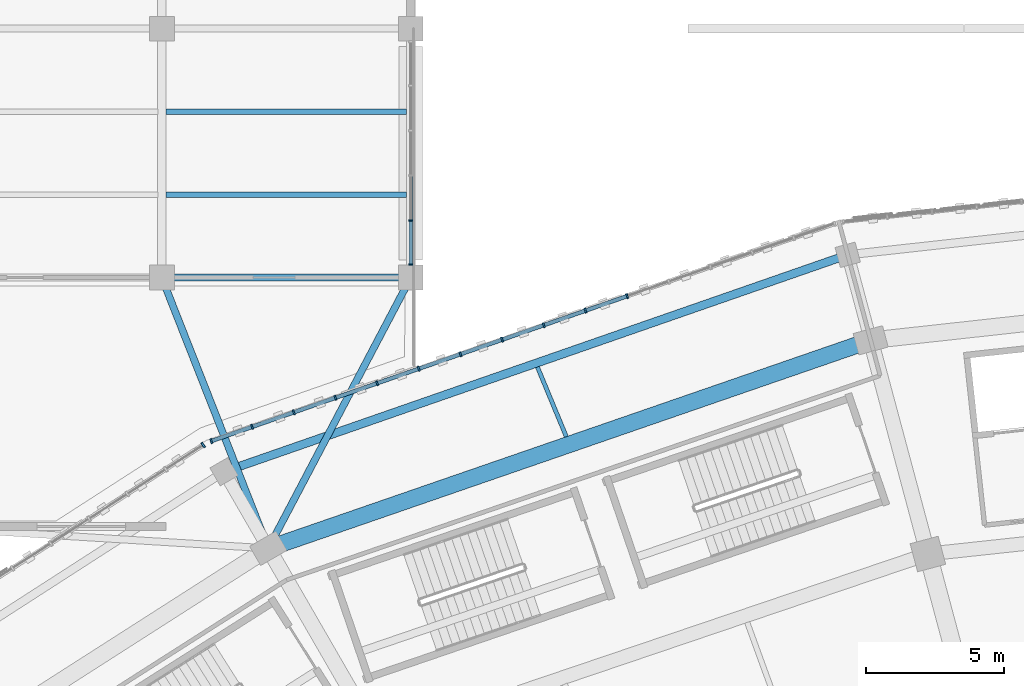
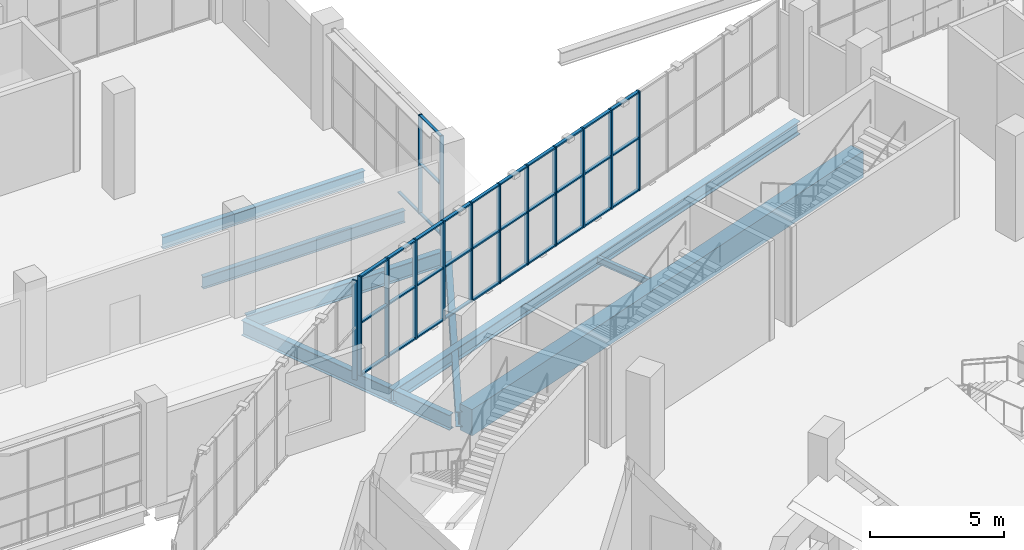
# One storey, part 55 of 183: 48 members, 8 beams, 3 elements without a shape of their own.
"""IFC4 building model written with IfcOpenShell, lengths in metres."""

from ifc_helpers import new_model, si_unit, direction, frame, origin, origin_2d, place, context, subcontext, project, spatial, rectangle, i_section, extrude, material, material_profile, profile_set, type_object, element, aggregate, save


model = new_model("IFC4")

# Units and contexts
model_context = context("Model", 3, precision=1e-05, world=origin(), true_north=direction((0.0, 1.0)))
body_context = subcontext(model_context, "Body", "Model", "MODEL_VIEW")
ifc_project = project(units=[si_unit("LENGTHUNIT", "METRE"), si_unit("AREAUNIT", "SQUARE_METRE"), si_unit("VOLUMEUNIT", "CUBIC_METRE"), si_unit("PLANEANGLEUNIT", "RADIAN"), si_unit("MASSUNIT", "GRAM", prefix="KILO")], contexts=[model_context])

# Site, building, storey
site_placement = place(None, origin())
site = spatial("IfcSite", under=ifc_project, at=site_placement, CompositionType="ELEMENT")
building_placement = place(site_placement, origin())
building = spatial("IfcBuilding", under=site, at=building_placement, Name="Zevraka Park Crest Stadium", CompositionType="ELEMENT")
storey_placement = place(building_placement, frame((0.0, 0.0, 5.39990234375)))
storey = spatial("IfcBuildingStorey", under=building, at=storey_placement, Name="L01", CompositionType="ELEMENT", Elevation=5.39990234375)

# Beams
ifc_material_1 = material(Name="Steel S355", Category="steel")
ifc_material_profile_1 = material_profile(ifc_material_1, i_section(OverallWidth=0.253662109375, OverallDepth=0.68359375, WebThickness=0.012451171875, FlangeThickness=0.01904296875, at=origin_2d()), Name="UKB 686x254x140")
ifc_profile_set_1 = profile_set([ifc_material_profile_1], Name="Steel S355")
beam_type_1 = type_object("IfcBeamType", Name="BG05", PredefinedType="BEAM", material=ifc_profile_set_1)
beam_1_placement = place(storey_placement, frame((63.300048828125, 167.0, -0.649658203125), z_axis=(1.0, 0.0, 0.0), x_axis=(0.0, 1.0, 0.0)))
element("IfcBeam", 1, at=beam_1_placement, inside=storey, type_object=beam_type_1, Name="Wing Girder BG05 L01-89/U", PredefinedType="BEAM", context=body_context, shape_type="SweptSolid", body=[
    extrude(i_section(OverallWidth=0.253662109375, OverallDepth=0.68359375, WebThickness=0.012451171875, FlangeThickness=0.01904296875, at=origin_2d()), origin(), (0.0, 0.0, 1.0), 8.39990234375),
])
beam_2_placement = place(storey_placement, frame((63.072998046875, 166.81396484375, -0.649658203125), z_axis=(0.366068857267, -0.930587766812, 0.0), x_axis=(0.930587766812, 0.366068857267, 0.0)))
element("IfcBeam", 2, at=beam_2_placement, inside=storey, type_object=beam_type_1, Name="Wing Link Girder BG05 L01-8/U", PredefinedType="BEAM", context=body_context, shape_type="SweptSolid", body=[
    extrude(i_section(OverallWidth=0.253662109375, OverallDepth=0.68359375, WebThickness=0.012451171875, FlangeThickness=0.01904296875, at=origin_2d()), origin(), (0.0, 0.0, 1.0), 9.937744140625),
])
beam_3_placement = place(storey_placement, frame((71.906982421875, 166.822998046875, -0.649658203125), z_axis=(-0.465623535035, -0.884982894536, 0.0), x_axis=(0.884982894536, -0.465623535035, 0.0)))
element("IfcBeam", 3, at=beam_3_placement, inside=storey, type_object=beam_type_1, Name="Wing Link Girder BG05 L01-9/U", PredefinedType="BEAM", context=body_context, shape_type="SweptSolid", body=[
    extrude(i_section(OverallWidth=0.253662109375, OverallDepth=0.68359375, WebThickness=0.012451171875, FlangeThickness=0.01904296875, at=origin_2d()), origin(), (0.0, 0.0, 1.0), 10.480224609375),
])

# Curtain wall, members
ifc_material_2 = material(Name="Anodised architectural aluminium and laminated safety glass", Category="aluminium")
curtain_wall_type_1 = type_object("IfcCurtainWallType", Name="CW28", PredefinedType="NOTDEFINED", material=ifc_material_2)
curtain_wall_1_placement = place(storey_placement, origin())
curtain_wall_1 = element("IfcCurtainWall", 4, at=curtain_wall_1_placement, inside=storey, type_object=curtain_wall_type_1, Name="Wing Curtain Wall CW28 L01-NW-E1-2", PredefinedType="NOTDEFINED")
ifc_material_3 = material(Name="Anodised architectural aluminium", Category="aluminium")
ifc_material_profile_2 = material_profile(ifc_material_3, rectangle(XDim=0.159912109375, YDim=0.06005859375, at=origin_2d()), Name="ALU MULLION 160x60")
ifc_profile_set_2 = profile_set([ifc_material_profile_2], Name="Anodised architectural aluminium")
member_type_1 = type_object("IfcMemberType", Name="CM01", PredefinedType="MULLION", material=ifc_profile_set_2)
member_1_placement = place(storey_placement, frame((72.0, 169.06396484375, 0.0), z_axis=(0.0, 0.0, 1.0), x_axis=(1.0, 0.0, 0.0)))
member_1 = element("IfcMember", 5, at=member_1_placement, type_object=member_type_1, Name="CW28 mullion 5", PredefinedType="MULLION", context=body_context, shape_type="SweptSolid", body=[
    extrude(rectangle(XDim=0.159912109375, YDim=0.06005859375, at=origin_2d()), origin(), (0.0, 0.0, 1.0), 4.52001953125),
])
member_2_placement = place(storey_placement, frame((72.0, 167.469970703125, 0.0), z_axis=(0.0, 0.0, 1.0), x_axis=(1.0, 0.0, 0.0)))
member_2 = element("IfcMember", 6, at=member_2_placement, type_object=member_type_1, Name="CW28 mullion 6", PredefinedType="MULLION", context=body_context, shape_type="SweptSolid", body=[
    extrude(rectangle(XDim=0.159912109375, YDim=0.06005859375, at=origin_2d()), origin(), (0.0, 0.0, 1.0), 4.52001953125),
])

ifc_material_4 = material(Name="Anodised architectural aluminium and laminated safety glass", Category="aluminium")
curtain_wall_type_2 = type_object("IfcCurtainWallType", Name="CW02", PredefinedType="NOTDEFINED", material=ifc_material_4)
curtain_wall_2_placement = place(storey_placement, origin())
curtain_wall_2 = element("IfcCurtainWall", 7, at=curtain_wall_2_placement, inside=storey, type_object=curtain_wall_type_2, Name="Unitised Ring Curtain Wall CW02 L01-07", PredefinedType="NOTDEFINED")
ifc_material_5 = material(Name="Anodised architectural aluminium", Category="aluminium")
ifc_material_profile_3 = material_profile(ifc_material_5, rectangle(XDim=0.179931640625, YDim=0.06494140625, at=origin_2d()), Name="ALU MULLION 180x65")
ifc_profile_set_3 = profile_set([ifc_material_profile_3], Name="Anodised architectural aluminium")
member_type_2 = type_object("IfcMemberType", Name="CM02", PredefinedType="MULLION", material=ifc_profile_set_3)
member_3_placement = place(storey_placement, frame((79.824951171875, 166.332763671875, 0.0), z_axis=(0.0, 0.0, 1.0), x_axis=(0.329209289879, -0.944256979565, 0.0)))
member_3 = element("IfcMember", 8, at=member_3_placement, type_object=member_type_2, Name="CW02 mullion 6", PredefinedType="MULLION", context=body_context, shape_type="SweptSolid", body=[
    extrude(rectangle(XDim=0.179931640625, YDim=0.06494140625, at=origin_2d()), origin(), (0.0, 0.0, 1.0), 4.52001953125),
])
member_4_placement = place(storey_placement, frame((78.318359375, 165.807373046875, 0.0), z_axis=(0.0, 0.0, 1.0), x_axis=(0.329209289879, -0.944256979565, 0.0)))
member_4 = element("IfcMember", 9, at=member_4_placement, type_object=member_type_2, Name="CW02 mullion 7", PredefinedType="MULLION", context=body_context, shape_type="SweptSolid", body=[
    extrude(rectangle(XDim=0.179931640625, YDim=0.06494140625, at=origin_2d()), origin(), (0.0, 0.0, 1.0), 4.52001953125),
])
member_5_placement = place(storey_placement, frame((76.811767578125, 165.2822265625, 0.0), z_axis=(0.0, 0.0, 1.0), x_axis=(0.329209289879, -0.944256979565, 0.0)))
member_5 = element("IfcMember", 10, at=member_5_placement, type_object=member_type_2, Name="CW02 mullion 8", PredefinedType="MULLION", context=body_context, shape_type="SweptSolid", body=[
    extrude(rectangle(XDim=0.179931640625, YDim=0.06494140625, at=origin_2d()), origin(), (0.0, 0.0, 1.0), 4.52001953125),
])
member_6_placement = place(storey_placement, frame((75.30517578125, 164.7568359375, 0.0), z_axis=(0.0, 0.0, 1.0), x_axis=(0.329209289879, -0.944256979565, 0.0)))
member_6 = element("IfcMember", 11, at=member_6_placement, type_object=member_type_2, Name="CW02 mullion 9", PredefinedType="MULLION", context=body_context, shape_type="SweptSolid", body=[
    extrude(rectangle(XDim=0.179931640625, YDim=0.06494140625, at=origin_2d()), origin(), (0.0, 0.0, 1.0), 4.52001953125),
])
member_7_placement = place(storey_placement, frame((73.798583984375, 164.231689453125, 0.0), z_axis=(0.0, 0.0, 1.0), x_axis=(0.329209289879, -0.944256979565, 0.0)))
member_7 = element("IfcMember", 12, at=member_7_placement, type_object=member_type_2, Name="CW02 mullion 10", PredefinedType="MULLION", context=body_context, shape_type="SweptSolid", body=[
    extrude(rectangle(XDim=0.179931640625, YDim=0.06494140625, at=origin_2d()), origin(), (0.0, 0.0, 1.0), 4.52001953125),
])
member_8_placement = place(storey_placement, frame((72.2919921875, 163.706298828125, 0.0), z_axis=(0.0, 0.0, 1.0), x_axis=(0.329209289879, -0.944256979565, 0.0)))
member_8 = element("IfcMember", 13, at=member_8_placement, type_object=member_type_2, Name="CW02 mullion 11", PredefinedType="MULLION", context=body_context, shape_type="SweptSolid", body=[
    extrude(rectangle(XDim=0.179931640625, YDim=0.06494140625, at=origin_2d()), origin(), (0.0, 0.0, 1.0), 4.52001953125),
])
member_9_placement = place(storey_placement, frame((70.785400390625, 163.18115234375, 0.0), z_axis=(0.0, 0.0, 1.0), x_axis=(0.329209289879, -0.944256979565, 0.0)))
member_9 = element("IfcMember", 14, at=member_9_placement, type_object=member_type_2, Name="CW02 mullion 12", PredefinedType="MULLION", context=body_context, shape_type="SweptSolid", body=[
    extrude(rectangle(XDim=0.179931640625, YDim=0.06494140625, at=origin_2d()), origin(), (0.0, 0.0, 1.0), 4.52001953125),
])
member_10_placement = place(storey_placement, frame((69.27880859375, 162.65576171875, 0.0), z_axis=(0.0, 0.0, 1.0), x_axis=(0.329209289879, -0.944256979565, 0.0)))
member_10 = element("IfcMember", 15, at=member_10_placement, type_object=member_type_2, Name="CW02 mullion 13", PredefinedType="MULLION", context=body_context, shape_type="SweptSolid", body=[
    extrude(rectangle(XDim=0.179931640625, YDim=0.06494140625, at=origin_2d()), origin(), (0.0, 0.0, 1.0), 4.52001953125),
])
member_11_placement = place(storey_placement, frame((67.772216796875, 162.130615234375, 0.0), z_axis=(0.0, 0.0, 1.0), x_axis=(0.329209289879, -0.944256979565, 0.0)))
member_11 = element("IfcMember", 16, at=member_11_placement, type_object=member_type_2, Name="CW02 mullion 14", PredefinedType="MULLION", context=body_context, shape_type="SweptSolid", body=[
    extrude(rectangle(XDim=0.179931640625, YDim=0.06494140625, at=origin_2d()), origin(), (0.0, 0.0, 1.0), 4.52001953125),
])
member_12_placement = place(storey_placement, frame((66.265625, 161.605224609375, 0.0), z_axis=(0.0, 0.0, 1.0), x_axis=(0.329209289879, -0.944256979565, 0.0)))
member_12 = element("IfcMember", 17, at=member_12_placement, type_object=member_type_2, Name="CW02 mullion 15", PredefinedType="MULLION", context=body_context, shape_type="SweptSolid", body=[
    extrude(rectangle(XDim=0.179931640625, YDim=0.06494140625, at=origin_2d()), origin(), (0.0, 0.0, 1.0), 4.52001953125),
])
member_13_placement = place(storey_placement, frame((64.789794921875, 161.0908203125, 0.0), z_axis=(0.0, 0.0, 1.0), x_axis=(0.329209289879, -0.944256979565, 0.0)))
member_13 = element("IfcMember", 18, at=member_13_placement, type_object=member_type_2, Name="CW02 mullion 16", PredefinedType="MULLION", context=body_context, shape_type="SweptSolid", body=[
    extrude(rectangle(XDim=0.179931640625, YDim=0.06494140625, at=origin_2d()), origin(), (0.0, 0.0, 1.0), 4.52001953125),
])

# Curtain wall, member
ifc_material_6 = material(Name="Anodised architectural aluminium and laminated safety glass", Category="aluminium")
curtain_wall_type_3 = type_object("IfcCurtainWallType", Name="CW03", PredefinedType="NOTDEFINED", material=ifc_material_6)
curtain_wall_3_placement = place(storey_placement, origin())
curtain_wall_3 = element("IfcCurtainWall", 19, at=curtain_wall_3_placement, inside=storey, type_object=curtain_wall_type_3, Name="Unitised Ring Curtain Wall CW03 L01-08", PredefinedType="NOTDEFINED")
ifc_material_7 = material(Name="Anodised architectural aluminium", Category="aluminium")
ifc_material_profile_4 = material_profile(ifc_material_7, rectangle(XDim=0.199951171875, YDim=0.070068359375, at=origin_2d()), Name="ALU MULLION 200x70")
ifc_profile_set_4 = profile_set([ifc_material_profile_4], Name="Anodised architectural aluminium")
member_type_3 = type_object("IfcMemberType", Name="CM03", PredefinedType="MULLION", material=ifc_profile_set_4)
member_14_placement = place(storey_placement, frame((64.49658203125, 160.947021484375, 0.0), z_axis=(0.0, 0.0, 1.0), x_axis=(0.542570628938, -0.840010186018, 0.0)))
member_14 = element("IfcMember", 20, at=member_14_placement, type_object=member_type_3, Name="CW03 mullion 1", PredefinedType="MULLION", context=body_context, shape_type="SweptSolid", body=[
    extrude(rectangle(XDim=0.199951171875, YDim=0.070068359375, at=origin_2d()), origin(), (0.0, 0.0, 1.0), 4.52001953125),
])
aggregate(curtain_wall_3, [member_14])

# Member
ifc_material_8 = material(Name="Anodised architectural aluminium", Category="aluminium")
ifc_material_profile_5 = material_profile(ifc_material_8, rectangle(XDim=0.1201171875, YDim=0.06005859375, at=origin_2d()), Name="ALU TRANSOM 120x60")
ifc_profile_set_5 = profile_set([ifc_material_profile_5], Name="Anodised architectural aluminium")
member_type_4 = type_object("IfcMemberType", Name="CT01", PredefinedType="USERDEFINED", material=ifc_profile_set_5)
member_15_placement = place(storey_placement, frame((72.0, 170.657958984375, 0.030029296875), z_axis=(0.0, -1.0, 0.0), x_axis=(1.0, 0.0, 0.0)))
member_15 = element("IfcMember", 21, at=member_15_placement, type_object=member_type_4, Name="CW28 transom 4.1", ObjectType="TRANSOM", PredefinedType="USERDEFINED", context=body_context, shape_type="SweptSolid", body=[
    extrude(rectangle(XDim=0.1201171875, YDim=0.06005859375, at=origin_2d()), origin(), (0.0, 0.0, 1.0), 1.56396484375),
])

member_16_placement = place(storey_placement, frame((72.0, 169.033935546875, 0.030029296875), z_axis=(0.0, -1.0, 0.0), x_axis=(1.0, 0.0, 0.0)))
member_16 = element("IfcMember", 22, at=member_16_placement, type_object=member_type_4, Name="CW28 transom 5.1", ObjectType="TRANSOM", PredefinedType="USERDEFINED", context=body_context, shape_type="SweptSolid", body=[
    extrude(rectangle(XDim=0.1201171875, YDim=0.06005859375, at=origin_2d()), origin(), (0.0, 0.0, 1.0), 1.533935546875),
])

member_17_placement = place(storey_placement, frame((72.0, 169.033935546875, 2.300048828125), z_axis=(0.0, -1.0, 0.0), x_axis=(1.0, 0.0, 0.0)))
member_17 = element("IfcMember", 23, at=member_17_placement, type_object=member_type_4, Name="CW28 transom 5.2", ObjectType="TRANSOM", PredefinedType="USERDEFINED", context=body_context, shape_type="SweptSolid", body=[
    extrude(rectangle(XDim=0.1201171875, YDim=0.06005859375, at=origin_2d()), origin(), (0.0, 0.0, 1.0), 1.533935546875),
])

member_18_placement = place(storey_placement, frame((72.0, 169.033935546875, 4.489990234375), z_axis=(0.0, -1.0, 0.0), x_axis=(1.0, 0.0, 0.0)))
member_18 = element("IfcMember", 24, at=member_18_placement, type_object=member_type_4, Name="CW28 transom 5.3", ObjectType="TRANSOM", PredefinedType="USERDEFINED", context=body_context, shape_type="SweptSolid", body=[
    extrude(rectangle(XDim=0.1201171875, YDim=0.06005859375, at=origin_2d()), origin(), (0.0, 0.0, 1.0), 1.533935546875),
])

aggregate(curtain_wall_1, [member_1, member_2, member_15, member_16, member_17, member_18])

ifc_material_9 = material(Name="Anodised architectural aluminium", Category="aluminium")
ifc_material_profile_6 = material_profile(ifc_material_9, rectangle(XDim=0.139892578125, YDim=0.06494140625, at=origin_2d()), Name="ALU TRANSOM 140x65")
ifc_profile_set_6 = profile_set([ifc_material_profile_6], Name="Anodised architectural aluminium")
member_type_5 = type_object("IfcMemberType", Name="CT02", PredefinedType="USERDEFINED", material=ifc_profile_set_6)
member_19_placement = place(storey_placement, frame((79.79443359375, 166.322021484375, 0.03271484375), z_axis=(-0.944255540278, -0.329213418097, 0.0), x_axis=(0.329213418097, -0.944255540278, 0.0)))
member_19 = element("IfcMember", 25, at=member_19_placement, type_object=member_type_5, Name="CW02 transom 6.1", ObjectType="TRANSOM", PredefinedType="USERDEFINED", context=body_context, shape_type="SweptSolid", body=[
    extrude(rectangle(XDim=0.139892578125, YDim=0.06494140625, at=origin_2d()), origin(), (0.0, 0.0, 1.0), 1.530517578125),
])

member_20_placement = place(storey_placement, frame((79.79443359375, 166.322021484375, 2.400146484375), z_axis=(-0.944255540278, -0.329213418097, 0.0), x_axis=(0.329213418097, -0.944255540278, 0.0)))
member_20 = element("IfcMember", 26, at=member_20_placement, type_object=member_type_5, Name="CW02 transom 6.2", ObjectType="TRANSOM", PredefinedType="USERDEFINED", context=body_context, shape_type="SweptSolid", body=[
    extrude(rectangle(XDim=0.139892578125, YDim=0.06494140625, at=origin_2d()), origin(), (0.0, 0.0, 1.0), 1.530517578125),
])

member_21_placement = place(storey_placement, frame((79.79443359375, 166.322021484375, 4.487548828125), z_axis=(-0.944255540278, -0.329213418097, 0.0), x_axis=(0.329213418097, -0.944255540278, 0.0)))
member_21 = element("IfcMember", 27, at=member_21_placement, type_object=member_type_5, Name="CW02 transom 6.3", ObjectType="TRANSOM", PredefinedType="USERDEFINED", context=body_context, shape_type="SweptSolid", body=[
    extrude(rectangle(XDim=0.139892578125, YDim=0.06494140625, at=origin_2d()), origin(), (0.0, 0.0, 1.0), 1.530517578125),
])

member_22_placement = place(storey_placement, frame((78.28759765625, 165.796630859375, 0.03271484375), z_axis=(-0.944238249242, -0.329263008352, 0.0), x_axis=(0.329263008352, -0.944238249242, 0.0)))
member_22 = element("IfcMember", 28, at=member_22_placement, type_object=member_type_5, Name="CW02 transom 7.1", ObjectType="TRANSOM", PredefinedType="USERDEFINED", context=body_context, shape_type="SweptSolid", body=[
    extrude(rectangle(XDim=0.139892578125, YDim=0.06494140625, at=origin_2d()), origin(), (0.0, 0.0, 1.0), 1.530517578125),
])

member_23_placement = place(storey_placement, frame((78.28759765625, 165.796630859375, 2.400146484375), z_axis=(-0.944238249242, -0.329263008352, 0.0), x_axis=(0.329263008352, -0.944238249242, 0.0)))
member_23 = element("IfcMember", 29, at=member_23_placement, type_object=member_type_5, Name="CW02 transom 7.2", ObjectType="TRANSOM", PredefinedType="USERDEFINED", context=body_context, shape_type="SweptSolid", body=[
    extrude(rectangle(XDim=0.139892578125, YDim=0.06494140625, at=origin_2d()), origin(), (0.0, 0.0, 1.0), 1.530517578125),
])

member_24_placement = place(storey_placement, frame((78.28759765625, 165.796630859375, 4.487548828125), z_axis=(-0.944238249242, -0.329263008352, 0.0), x_axis=(0.329263008352, -0.944238249242, 0.0)))
member_24 = element("IfcMember", 30, at=member_24_placement, type_object=member_type_5, Name="CW02 transom 7.3", ObjectType="TRANSOM", PredefinedType="USERDEFINED", context=body_context, shape_type="SweptSolid", body=[
    extrude(rectangle(XDim=0.139892578125, YDim=0.06494140625, at=origin_2d()), origin(), (0.0, 0.0, 1.0), 1.530517578125),
])

member_25_placement = place(storey_placement, frame((76.781005859375, 165.271484375, 0.03271484375), z_axis=(-0.944238249242, -0.329263008352, 0.0), x_axis=(0.329263008352, -0.944238249242, 0.0)))
member_25 = element("IfcMember", 31, at=member_25_placement, type_object=member_type_5, Name="CW02 transom 8.1", ObjectType="TRANSOM", PredefinedType="USERDEFINED", context=body_context, shape_type="SweptSolid", body=[
    extrude(rectangle(XDim=0.139892578125, YDim=0.06494140625, at=origin_2d()), origin(), (0.0, 0.0, 1.0), 1.530517578125),
])

member_26_placement = place(storey_placement, frame((76.781005859375, 165.271484375, 2.400146484375), z_axis=(-0.944238249242, -0.329263008352, 0.0), x_axis=(0.329263008352, -0.944238249242, 0.0)))
member_26 = element("IfcMember", 32, at=member_26_placement, type_object=member_type_5, Name="CW02 transom 8.2", ObjectType="TRANSOM", PredefinedType="USERDEFINED", context=body_context, shape_type="SweptSolid", body=[
    extrude(rectangle(XDim=0.139892578125, YDim=0.06494140625, at=origin_2d()), origin(), (0.0, 0.0, 1.0), 1.530517578125),
])

member_27_placement = place(storey_placement, frame((76.781005859375, 165.271484375, 4.487548828125), z_axis=(-0.944238249242, -0.329263008352, 0.0), x_axis=(0.329263008352, -0.944238249242, 0.0)))
member_27 = element("IfcMember", 33, at=member_27_placement, type_object=member_type_5, Name="CW02 transom 8.3", ObjectType="TRANSOM", PredefinedType="USERDEFINED", context=body_context, shape_type="SweptSolid", body=[
    extrude(rectangle(XDim=0.139892578125, YDim=0.06494140625, at=origin_2d()), origin(), (0.0, 0.0, 1.0), 1.530517578125),
])

member_28_placement = place(storey_placement, frame((75.2744140625, 164.74609375, 0.03271484375), z_axis=(-0.944238249242, -0.329263008352, 0.0), x_axis=(0.329263008352, -0.944238249242, 0.0)))
member_28 = element("IfcMember", 34, at=member_28_placement, type_object=member_type_5, Name="CW02 transom 9.1", ObjectType="TRANSOM", PredefinedType="USERDEFINED", context=body_context, shape_type="SweptSolid", body=[
    extrude(rectangle(XDim=0.139892578125, YDim=0.06494140625, at=origin_2d()), origin(), (0.0, 0.0, 1.0), 1.530517578125),
])

member_29_placement = place(storey_placement, frame((75.2744140625, 164.74609375, 2.400146484375), z_axis=(-0.944238249242, -0.329263008352, 0.0), x_axis=(0.329263008352, -0.944238249242, 0.0)))
member_29 = element("IfcMember", 35, at=member_29_placement, type_object=member_type_5, Name="CW02 transom 9.2", ObjectType="TRANSOM", PredefinedType="USERDEFINED", context=body_context, shape_type="SweptSolid", body=[
    extrude(rectangle(XDim=0.139892578125, YDim=0.06494140625, at=origin_2d()), origin(), (0.0, 0.0, 1.0), 1.530517578125),
])

member_30_placement = place(storey_placement, frame((75.2744140625, 164.74609375, 4.487548828125), z_axis=(-0.944238249242, -0.329263008352, 0.0), x_axis=(0.329263008352, -0.944238249242, 0.0)))
member_30 = element("IfcMember", 36, at=member_30_placement, type_object=member_type_5, Name="CW02 transom 9.3", ObjectType="TRANSOM", PredefinedType="USERDEFINED", context=body_context, shape_type="SweptSolid", body=[
    extrude(rectangle(XDim=0.139892578125, YDim=0.06494140625, at=origin_2d()), origin(), (0.0, 0.0, 1.0), 1.530517578125),
])

member_31_placement = place(storey_placement, frame((73.767822265625, 164.220947265625, 0.03271484375), z_axis=(-0.944238249242, -0.329263008352, 0.0), x_axis=(0.329263008352, -0.944238249242, 0.0)))
member_31 = element("IfcMember", 37, at=member_31_placement, type_object=member_type_5, Name="CW02 transom 10.1", ObjectType="TRANSOM", PredefinedType="USERDEFINED", context=body_context, shape_type="SweptSolid", body=[
    extrude(rectangle(XDim=0.139892578125, YDim=0.06494140625, at=origin_2d()), origin(), (0.0, 0.0, 1.0), 1.530517578125),
])

member_32_placement = place(storey_placement, frame((73.767822265625, 164.220947265625, 2.400146484375), z_axis=(-0.944238249242, -0.329263008352, 0.0), x_axis=(0.329263008352, -0.944238249242, 0.0)))
member_32 = element("IfcMember", 38, at=member_32_placement, type_object=member_type_5, Name="CW02 transom 10.2", ObjectType="TRANSOM", PredefinedType="USERDEFINED", context=body_context, shape_type="SweptSolid", body=[
    extrude(rectangle(XDim=0.139892578125, YDim=0.06494140625, at=origin_2d()), origin(), (0.0, 0.0, 1.0), 1.530517578125),
])

member_33_placement = place(storey_placement, frame((73.767822265625, 164.220947265625, 4.487548828125), z_axis=(-0.944238249242, -0.329263008352, 0.0), x_axis=(0.329263008352, -0.944238249242, 0.0)))
member_33 = element("IfcMember", 39, at=member_33_placement, type_object=member_type_5, Name="CW02 transom 10.3", ObjectType="TRANSOM", PredefinedType="USERDEFINED", context=body_context, shape_type="SweptSolid", body=[
    extrude(rectangle(XDim=0.139892578125, YDim=0.06494140625, at=origin_2d()), origin(), (0.0, 0.0, 1.0), 1.530517578125),
])

member_34_placement = place(storey_placement, frame((72.26123046875, 163.695556640625, 0.03271484375), z_axis=(-0.944238249242, -0.329263008352, 0.0), x_axis=(0.329263008352, -0.944238249242, 0.0)))
member_34 = element("IfcMember", 40, at=member_34_placement, type_object=member_type_5, Name="CW02 transom 11.1", ObjectType="TRANSOM", PredefinedType="USERDEFINED", context=body_context, shape_type="SweptSolid", body=[
    extrude(rectangle(XDim=0.139892578125, YDim=0.06494140625, at=origin_2d()), origin(), (0.0, 0.0, 1.0), 1.530517578125),
])

member_35_placement = place(storey_placement, frame((72.26123046875, 163.695556640625, 2.400146484375), z_axis=(-0.944238249242, -0.329263008352, 0.0), x_axis=(0.329263008352, -0.944238249242, 0.0)))
member_35 = element("IfcMember", 41, at=member_35_placement, type_object=member_type_5, Name="CW02 transom 11.2", ObjectType="TRANSOM", PredefinedType="USERDEFINED", context=body_context, shape_type="SweptSolid", body=[
    extrude(rectangle(XDim=0.139892578125, YDim=0.06494140625, at=origin_2d()), origin(), (0.0, 0.0, 1.0), 1.530517578125),
])

member_36_placement = place(storey_placement, frame((72.26123046875, 163.695556640625, 4.487548828125), z_axis=(-0.944238249242, -0.329263008352, 0.0), x_axis=(0.329263008352, -0.944238249242, 0.0)))
member_36 = element("IfcMember", 42, at=member_36_placement, type_object=member_type_5, Name="CW02 transom 11.3", ObjectType="TRANSOM", PredefinedType="USERDEFINED", context=body_context, shape_type="SweptSolid", body=[
    extrude(rectangle(XDim=0.139892578125, YDim=0.06494140625, at=origin_2d()), origin(), (0.0, 0.0, 1.0), 1.530517578125),
])

member_37_placement = place(storey_placement, frame((70.754638671875, 163.17041015625, 0.03271484375), z_axis=(-0.944238249242, -0.329263008352, 0.0), x_axis=(0.329263008352, -0.944238249242, 0.0)))
member_37 = element("IfcMember", 43, at=member_37_placement, type_object=member_type_5, Name="CW02 transom 12.1", ObjectType="TRANSOM", PredefinedType="USERDEFINED", context=body_context, shape_type="SweptSolid", body=[
    extrude(rectangle(XDim=0.139892578125, YDim=0.06494140625, at=origin_2d()), origin(), (0.0, 0.0, 1.0), 1.530517578125),
])

member_38_placement = place(storey_placement, frame((70.754638671875, 163.17041015625, 2.400146484375), z_axis=(-0.944238249242, -0.329263008352, 0.0), x_axis=(0.329263008352, -0.944238249242, 0.0)))
member_38 = element("IfcMember", 44, at=member_38_placement, type_object=member_type_5, Name="CW02 transom 12.2", ObjectType="TRANSOM", PredefinedType="USERDEFINED", context=body_context, shape_type="SweptSolid", body=[
    extrude(rectangle(XDim=0.139892578125, YDim=0.06494140625, at=origin_2d()), origin(), (0.0, 0.0, 1.0), 1.530517578125),
])

member_39_placement = place(storey_placement, frame((70.754638671875, 163.17041015625, 4.487548828125), z_axis=(-0.944238249242, -0.329263008352, 0.0), x_axis=(0.329263008352, -0.944238249242, 0.0)))
member_39 = element("IfcMember", 45, at=member_39_placement, type_object=member_type_5, Name="CW02 transom 12.3", ObjectType="TRANSOM", PredefinedType="USERDEFINED", context=body_context, shape_type="SweptSolid", body=[
    extrude(rectangle(XDim=0.139892578125, YDim=0.06494140625, at=origin_2d()), origin(), (0.0, 0.0, 1.0), 1.530517578125),
])

member_40_placement = place(storey_placement, frame((69.248046875, 162.64501953125, 0.03271484375), z_axis=(-0.944238249242, -0.329263008352, 0.0), x_axis=(0.329263008352, -0.944238249242, 0.0)))
member_40 = element("IfcMember", 46, at=member_40_placement, type_object=member_type_5, Name="CW02 transom 13.1", ObjectType="TRANSOM", PredefinedType="USERDEFINED", context=body_context, shape_type="SweptSolid", body=[
    extrude(rectangle(XDim=0.139892578125, YDim=0.06494140625, at=origin_2d()), origin(), (0.0, 0.0, 1.0), 1.530517578125),
])

member_41_placement = place(storey_placement, frame((69.248046875, 162.64501953125, 2.400146484375), z_axis=(-0.944238249242, -0.329263008352, 0.0), x_axis=(0.329263008352, -0.944238249242, 0.0)))
member_41 = element("IfcMember", 47, at=member_41_placement, type_object=member_type_5, Name="CW02 transom 13.2", ObjectType="TRANSOM", PredefinedType="USERDEFINED", context=body_context, shape_type="SweptSolid", body=[
    extrude(rectangle(XDim=0.139892578125, YDim=0.06494140625, at=origin_2d()), origin(), (0.0, 0.0, 1.0), 1.530517578125),
])

member_42_placement = place(storey_placement, frame((69.248046875, 162.64501953125, 4.487548828125), z_axis=(-0.944238249242, -0.329263008352, 0.0), x_axis=(0.329263008352, -0.944238249242, 0.0)))
member_42 = element("IfcMember", 48, at=member_42_placement, type_object=member_type_5, Name="CW02 transom 13.3", ObjectType="TRANSOM", PredefinedType="USERDEFINED", context=body_context, shape_type="SweptSolid", body=[
    extrude(rectangle(XDim=0.139892578125, YDim=0.06494140625, at=origin_2d()), origin(), (0.0, 0.0, 1.0), 1.530517578125),
])

member_43_placement = place(storey_placement, frame((67.741455078125, 162.119873046875, 0.03271484375), z_axis=(-0.944238249242, -0.329263008352, 0.0), x_axis=(0.329263008352, -0.944238249242, 0.0)))
member_43 = element("IfcMember", 49, at=member_43_placement, type_object=member_type_5, Name="CW02 transom 14.1", ObjectType="TRANSOM", PredefinedType="USERDEFINED", context=body_context, shape_type="SweptSolid", body=[
    extrude(rectangle(XDim=0.139892578125, YDim=0.06494140625, at=origin_2d()), origin(), (0.0, 0.0, 1.0), 1.530517578125),
])

member_44_placement = place(storey_placement, frame((67.741455078125, 162.119873046875, 2.400146484375), z_axis=(-0.944238249242, -0.329263008352, 0.0), x_axis=(0.329263008352, -0.944238249242, 0.0)))
member_44 = element("IfcMember", 50, at=member_44_placement, type_object=member_type_5, Name="CW02 transom 14.2", ObjectType="TRANSOM", PredefinedType="USERDEFINED", context=body_context, shape_type="SweptSolid", body=[
    extrude(rectangle(XDim=0.139892578125, YDim=0.06494140625, at=origin_2d()), origin(), (0.0, 0.0, 1.0), 1.530517578125),
])

member_45_placement = place(storey_placement, frame((67.741455078125, 162.119873046875, 4.487548828125), z_axis=(-0.944238249242, -0.329263008352, 0.0), x_axis=(0.329263008352, -0.944238249242, 0.0)))
member_45 = element("IfcMember", 51, at=member_45_placement, type_object=member_type_5, Name="CW02 transom 14.3", ObjectType="TRANSOM", PredefinedType="USERDEFINED", context=body_context, shape_type="SweptSolid", body=[
    extrude(rectangle(XDim=0.139892578125, YDim=0.06494140625, at=origin_2d()), origin(), (0.0, 0.0, 1.0), 1.530517578125),
])

member_46_placement = place(storey_placement, frame((66.23486328125, 161.594482421875, 0.03271484375), z_axis=(-0.944259100234, -0.329203207192, 0.0), x_axis=(0.329203207192, -0.944259100234, 0.0)))
member_46 = element("IfcMember", 52, at=member_46_placement, type_object=member_type_5, Name="CW02 transom 15.1", ObjectType="TRANSOM", PredefinedType="USERDEFINED", context=body_context, shape_type="SweptSolid", body=[
    extrude(rectangle(XDim=0.139892578125, YDim=0.06494140625, at=origin_2d()), origin(), (0.0, 0.0, 1.0), 1.498046875),
])

member_47_placement = place(storey_placement, frame((66.23486328125, 161.594482421875, 2.400146484375), z_axis=(-0.944259100234, -0.329203207192, 0.0), x_axis=(0.329203207192, -0.944259100234, 0.0)))
member_47 = element("IfcMember", 53, at=member_47_placement, type_object=member_type_5, Name="CW02 transom 15.2", ObjectType="TRANSOM", PredefinedType="USERDEFINED", context=body_context, shape_type="SweptSolid", body=[
    extrude(rectangle(XDim=0.139892578125, YDim=0.06494140625, at=origin_2d()), origin(), (0.0, 0.0, 1.0), 1.498046875),
])

member_48_placement = place(storey_placement, frame((66.23486328125, 161.594482421875, 4.487548828125), z_axis=(-0.944259100234, -0.329203207192, 0.0), x_axis=(0.329203207192, -0.944259100234, 0.0)))
member_48 = element("IfcMember", 54, at=member_48_placement, type_object=member_type_5, Name="CW02 transom 15.3", ObjectType="TRANSOM", PredefinedType="USERDEFINED", context=body_context, shape_type="SweptSolid", body=[
    extrude(rectangle(XDim=0.139892578125, YDim=0.06494140625, at=origin_2d()), origin(), (0.0, 0.0, 1.0), 1.498046875),
])

aggregate(curtain_wall_2, [member_3, member_4, member_5, member_6, member_7, member_8, member_9, member_10, member_11, member_12, member_13, member_19, member_20, member_21, member_22, member_23, member_24, member_25, member_26, member_27, member_28, member_29, member_30, member_31, member_32, member_33, member_34, member_35, member_36, member_37, member_38, member_39, member_40, member_41, member_42, member_43, member_44, member_45, member_46, member_47, member_48])

# Beams
ifc_material_10 = material(Name="Concrete C40/50", Category="concrete")
ifc_material_profile_7 = material_profile(ifc_material_10, rectangle(XDim=0.60009765625, YDim=1.199951171875, at=origin_2d()), Name="RC 1200x600")
ifc_profile_set_7 = profile_set([ifc_material_profile_7], Name="Concrete C40/50")
beam_type_2 = type_object("IfcBeamType", Name="RB01", PredefinedType="BEAM", material=ifc_profile_set_7)
beam_4_placement = place(storey_placement, frame((88.27001953125, 164.610107421875, -0.60986328125), z_axis=(-0.945210431582, -0.326461697644, 0.0), x_axis=(0.326461697644, -0.945210431582, 0.0)))
element("IfcBeam", 55, at=beam_4_placement, inside=storey, type_object=beam_type_2, Name="Ring Beam RB01 L01-D-07", PredefinedType="BEAM", context=body_context, shape_type="SweptSolid", body=[
    extrude(rectangle(XDim=0.60009765625, YDim=1.199951171875, at=origin_2d()), origin(), (0.0, 0.0, 1.0), 22.28173828125),
])
ifc_material_11 = material(Name="Steel S355", Category="steel")
ifc_material_profile_8 = material_profile(ifc_material_11, i_section(OverallWidth=0.300048828125, OverallDepth=0.60009765625, WebThickness=0.015380859375, FlangeThickness=0.030029296875, at=origin_2d()), Name="HEB 600")
ifc_profile_set_8 = profile_set([ifc_material_profile_8], Name="Steel S355")
beam_type_3 = type_object("IfcBeamType", Name="RB03", PredefinedType="BEAM", material=ifc_profile_set_8)
beam_5_placement = place(storey_placement, frame((87.468994140625, 167.7099609375, -0.60498046875), z_axis=(-0.944512003331, -0.328476902634, 0.0), x_axis=(0.328476902634, -0.944512003331, 0.0)))
element("IfcBeam", 56, at=beam_5_placement, inside=storey, type_object=beam_type_3, Name="Ring Beam RB03 L01-E-07", PredefinedType="BEAM", context=body_context, shape_type="SweptSolid", body=[
    extrude(i_section(OverallWidth=0.300048828125, OverallDepth=0.60009765625, WebThickness=0.015380859375, FlangeThickness=0.030029296875, at=origin_2d()), origin(), (0.0, 0.0, 1.0), 23.173828125),
])
ifc_material_12 = material(Name="Steel S355", Category="steel")
ifc_material_profile_9 = material_profile(ifc_material_12, i_section(OverallWidth=0.14990234375, OverallDepth=0.300048828125, WebThickness=0.007080078125, FlangeThickness=0.0107421875, at=origin_2d()), Name="IPE 300")
ifc_profile_set_9 = profile_set([ifc_material_profile_9], Name="Steel S355")
beam_type_4 = type_object("IfcBeamType", Name="SJ01", PredefinedType="JOIST", material=ifc_profile_set_9)
beam_6_placement = place(storey_placement, frame((77.626953125, 161.24609375, -0.4580078125), z_axis=(-0.3828253139, 0.923820750491, 0.0), x_axis=(-0.923820750491, -0.3828253139, 0.0)))
element("IfcBeam", 57, at=beam_6_placement, inside=storey, type_object=beam_type_4, Name="Floor Joist SJ01 L01-DE-07-1", PredefinedType="JOIST", context=body_context, shape_type="SweptSolid", body=[
    extrude(i_section(OverallWidth=0.14990234375, OverallDepth=0.300048828125, WebThickness=0.007080078125, FlangeThickness=0.0107421875, at=origin_2d()), origin(), (0.0, 0.0, 1.0), 2.73193359375),
])
ifc_material_13 = material(Name="Steel S355", Category="steel")
ifc_material_profile_10 = material_profile(ifc_material_13, i_section(OverallWidth=0.2099609375, OverallDepth=0.550048828125, WebThickness=0.010986328125, FlangeThickness=0.01708984375, at=origin_2d()), Name="IPE 550")
ifc_profile_set_10 = profile_set([ifc_material_profile_10], Name="Steel S355")
beam_type_5 = type_object("IfcBeamType", Name="SJ04", PredefinedType="JOIST", material=ifc_profile_set_10)
for number, where, z_axis, x_axis, name in (
    (58, (63.14501953125, 170.0, -0.5849609375), (1.0, 0.0, 0.0), (0.0, 1.0, 0.0), "Wing Joist SJ04 L01-8/U-1"),
    (59, (63.14501953125, 173.0, -0.5849609375), (1.0, 0.0, 0.0), (0.0, 1.0, 0.0), "Wing Joist SJ04 L01-8/U-2"),
):
    element("IfcBeam", number, at=place(storey_placement, frame(where, z_axis=z_axis, x_axis=x_axis)), inside=storey, type_object=beam_type_5, Name=name, PredefinedType="JOIST", context=body_context, shape_type="SweptSolid", body=[
        extrude(i_section(OverallWidth=0.2099609375, OverallDepth=0.550048828125, WebThickness=0.010986328125, FlangeThickness=0.01708984375, at=origin_2d()), origin(), (0.0, 0.0, 1.0), 8.7099609375),
    ])

save(model, "model.ifc")
